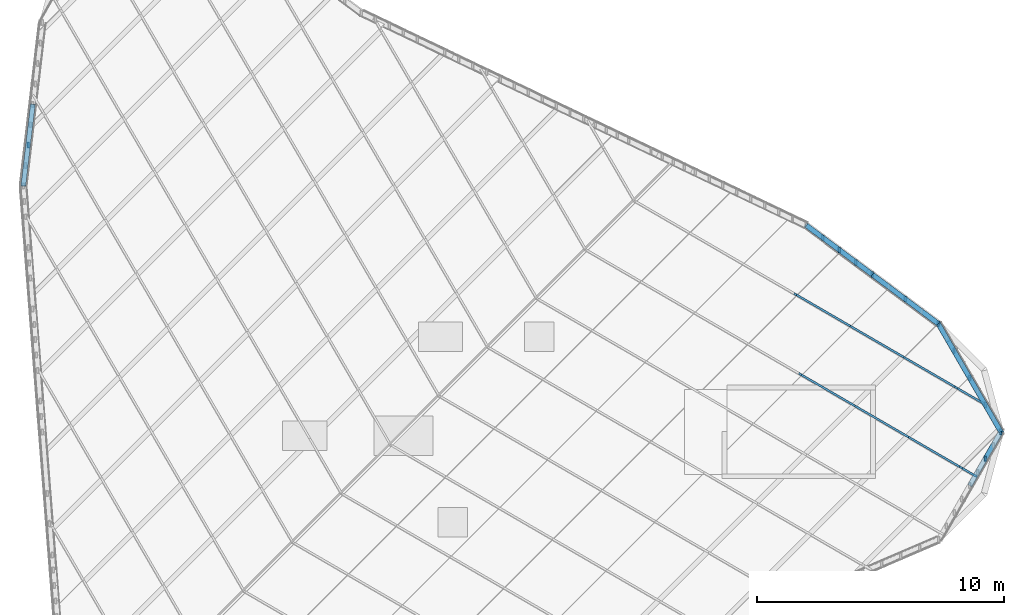
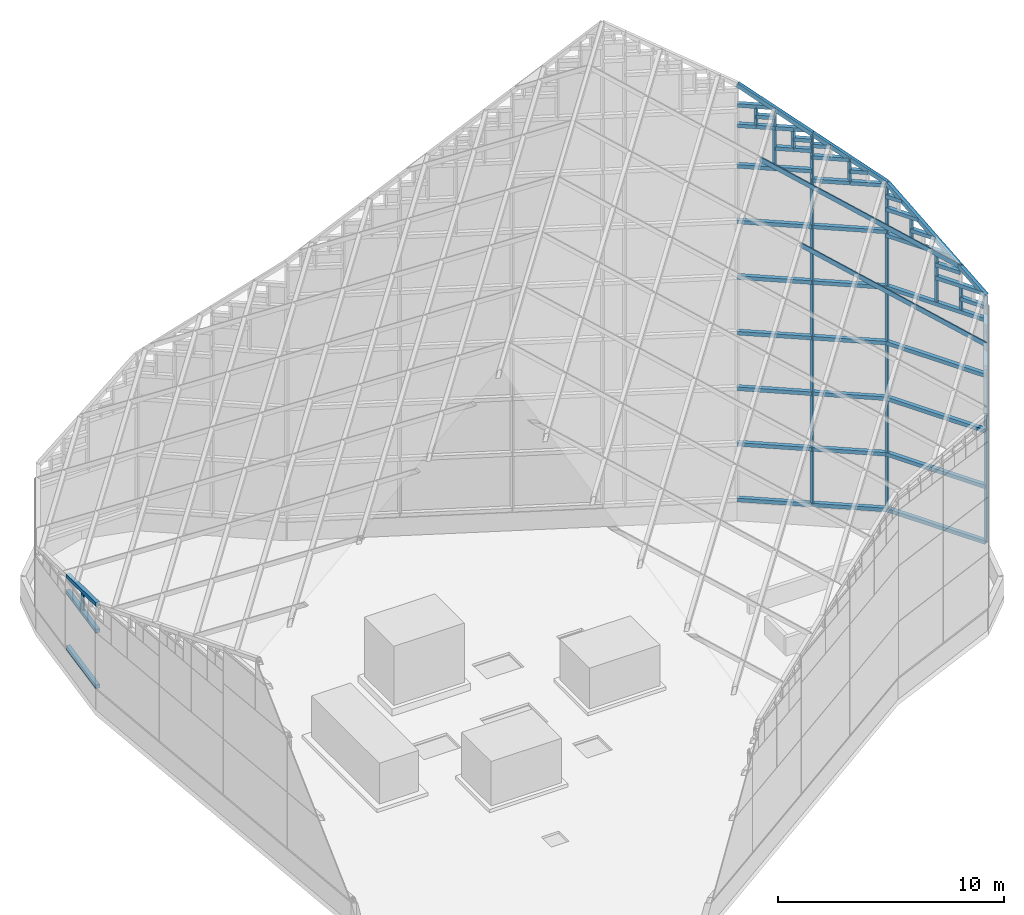
# One storey, part 7 of 29: 63 members, 1 element without a shape of its own.
"""IFC4 building model written with IfcOpenShell, lengths in metres."""

from ifc_helpers import new_model, si_unit, direction, frame, origin, origin_2d, place, context, subcontext, project, spatial, rectangle, extrude, material, material_profile, profile_set, type_object, element, aggregate, save


model = new_model("IFC4")

# Units and contexts
model_context = context("Model", 3, precision=1e-05, world=origin(), true_north=direction((0.0, 1.0)))
body_context = subcontext(model_context, "Body", "Model", "MODEL_VIEW")
ifc_project = project(units=[si_unit("LENGTHUNIT", "METRE"), si_unit("AREAUNIT", "SQUARE_METRE"), si_unit("VOLUMEUNIT", "CUBIC_METRE"), si_unit("PLANEANGLEUNIT", "RADIAN"), si_unit("MASSUNIT", "GRAM", prefix="KILO")], contexts=[model_context])

# Site, building, storey
site_placement = place(None, origin())
site = spatial("IfcSite", under=ifc_project, at=site_placement, CompositionType="ELEMENT")
building_placement = place(site_placement, origin())
building = spatial("IfcBuilding", under=site, at=building_placement, Name="Tanit Gate Tower", CompositionType="ELEMENT")
storey_placement = place(building_placement, frame((0.0, 0.0, 445.300048828125)))
storey = spatial("IfcBuildingStorey", under=building, at=storey_placement, Name="ROOF", CompositionType="ELEMENT", Elevation=445.300048828125)

# Curtain wall, members
ifc_material_1 = material(Name="Aluminium bronze anodised and glass", Category="aluminium")
curtain_wall_type = type_object("IfcCurtainWallType", Name="Curtain wall crown roof", PredefinedType="NOTDEFINED", material=ifc_material_1)
curtain_wall_placement = place(storey_placement, origin())
curtain_wall = element("IfcCurtainWall", 1, at=curtain_wall_placement, inside=storey, type_object=curtain_wall_type, Name="Crown lantern", PredefinedType="NOTDEFINED")
ifc_material_2 = material(Name="Aluminium bronze anodised", Category="aluminium")
ifc_material_profile_1 = material_profile(ifc_material_2, rectangle(XDim=0.080078125, YDim=0.219970703125, at=origin_2d()), Name="80x220 bronze rafter")
ifc_profile_set_1 = profile_set([ifc_material_profile_1], Name="Aluminium bronze anodised")
member_type_1 = type_object("IfcMemberType", Name="Mullion 80x220 crown roof", PredefinedType="MULLION", material=ifc_profile_set_1)
member_1_placement = place(storey_placement, frame((21.654052734375, 4.375, 1.199951171875), z_axis=(0.0, 0.0, 1.0), x_axis=(1.0, 0.0, 0.0)))
member_1 = element("IfcMember", 2, at=member_1_placement, type_object=member_type_1, Name="Lantern mullion 1", PredefinedType="MULLION", context=body_context, shape_type="SweptSolid", body=[
    extrude(rectangle(XDim=0.080078125, YDim=0.219970703125, at=origin_2d()), origin(), (0.0, 0.0, 1.0), 17.610595703125),
])
member_2_placement = place(storey_placement, frame((18.983154296875, 6.3642578125, 1.199951171875), z_axis=(0.0, 0.0, 1.0), x_axis=(1.0, 0.0, 0.0)))
member_2 = element("IfcMember", 3, at=member_2_placement, type_object=member_type_1, Name="Lantern mullion 2", PredefinedType="MULLION", context=body_context, shape_type="SweptSolid", body=[
    extrude(rectangle(XDim=0.080078125, YDim=0.219970703125, at=origin_2d()), origin(), (0.0, 0.0, 1.0), 19.996337890625),
])
member_3_placement = place(storey_placement, frame((24.186767578125, 0.0, 1.199951171875), z_axis=(0.0, 0.0, 1.0), x_axis=(1.0, 0.0, 0.0)))
member_3 = element("IfcMember", 4, at=member_3_placement, type_object=member_type_1, Name="Lantern mullion 32", PredefinedType="MULLION", context=body_context, shape_type="SweptSolid", body=[
    extrude(rectangle(XDim=0.080078125, YDim=0.219970703125, at=origin_2d()), origin(), (0.0, 0.0, 1.0), 13.2841796875),
])
member_4_placement = place(storey_placement, frame((20.318603515625, 5.36962890625, 18.697998046875), z_axis=(0.0, 0.0, 1.0), x_axis=(1.0, 0.0, 0.0)))
member_4 = element("IfcMember", 5, at=member_4_placement, type_object=member_type_1, Name="Lantern clerestory bar 1.6.2", PredefinedType="MULLION", context=body_context, shape_type="SweptSolid", body=[
    extrude(rectangle(XDim=0.080078125, YDim=0.219970703125, at=origin_2d()), origin(), (0.0, 0.0, 1.0), 1.305419921875),
])
member_5_placement = place(storey_placement, frame((17.64794921875, 7.358642578125, 19.199951171875), z_axis=(0.0, 0.0, 1.0), x_axis=(1.0, 0.0, 0.0)))
member_5 = element("IfcMember", 6, at=member_5_placement, type_object=member_type_1, Name="Lantern clerestory bar 2.7.2", PredefinedType="MULLION", context=body_context, shape_type="SweptSolid", body=[
    extrude(rectangle(XDim=0.080078125, YDim=0.219970703125, at=origin_2d()), origin(), (0.0, 0.0, 1.0), 2.19091796875),
])
member_6_placement = place(storey_placement, frame((18.315673828125, 6.861328125, 20.29541015625), z_axis=(0.0, 0.0, 1.0), x_axis=(1.0, 0.0, 0.0)))
member_6 = element("IfcMember", 7, at=member_6_placement, type_object=member_type_1, Name="Lantern clerestory bar 2.7.4", PredefinedType="MULLION", context=body_context, shape_type="SweptSolid", body=[
    extrude(rectangle(XDim=0.080078125, YDim=0.219970703125, at=origin_2d()), origin(), (0.0, 0.0, 1.0), 1.095458984375),
])
member_7_placement = place(storey_placement, frame((17.64794921875, 7.358642578125, 21.390869140625), z_axis=(0.0, 0.0, 1.0), x_axis=(1.0, 0.0, 0.0)))
member_7 = element("IfcMember", 8, at=member_7_placement, type_object=member_type_1, Name="Lantern clerestory bar 2.7.6", PredefinedType="MULLION", context=body_context, shape_type="SweptSolid", body=[
    extrude(rectangle(XDim=0.080078125, YDim=0.219970703125, at=origin_2d()), origin(), (0.0, 0.0, 1.0), 0.998046875),
])
member_8_placement = place(storey_placement, frame((16.980224609375, 7.85595703125, 21.390869140625), z_axis=(0.0, 0.0, 1.0), x_axis=(1.0, 0.0, 0.0)))
member_8 = element("IfcMember", 9, at=member_8_placement, type_object=member_type_1, Name="Lantern clerestory bar 2.7.8", PredefinedType="MULLION", context=body_context, shape_type="SweptSolid", body=[
    extrude(rectangle(XDim=0.080078125, YDim=0.219970703125, at=origin_2d()), origin(), (0.0, 0.0, 1.0), 1.095458984375),
])
member_9_placement = place(storey_placement, frame((-15.19677734375, 11.604248046875, 4.199951171875), z_axis=(0.0, 0.0, 1.0), x_axis=(1.0, 0.0, 0.0)))
member_9 = element("IfcMember", 10, at=member_9_placement, type_object=member_type_1, Name="Lantern clerestory bar 13.2.1", PredefinedType="MULLION", context=body_context, shape_type="SweptSolid", body=[
    extrude(rectangle(XDim=0.080078125, YDim=0.219970703125, at=origin_2d()), origin(), (0.0, 0.0, 1.0), 1.147216796875),
])
member_10_placement = place(storey_placement, frame((23.55615234375, -1.09130859375, 12.342041015625), z_axis=(0.0, 0.0, 1.0), x_axis=(1.0, 0.0, 0.0)))
member_10 = element("IfcMember", 11, at=member_10_placement, type_object=member_type_1, Name="Lantern clerestory bar 31.4.11", PredefinedType="MULLION", context=body_context, shape_type="SweptSolid", body=[
    extrude(rectangle(XDim=0.080078125, YDim=0.219970703125, at=origin_2d()), origin(), (0.0, 0.0, 1.0), 1.410888671875),
])
member_11_placement = place(storey_placement, frame((22.92041015625, 2.1875, 13.199951171875), z_axis=(0.0, 0.0, 1.0), x_axis=(1.0, 0.0, 0.0)))
member_11 = element("IfcMember", 12, at=member_11_placement, type_object=member_type_1, Name="Lantern clerestory bar 32.5.2", PredefinedType="MULLION", context=body_context, shape_type="SweptSolid", body=[
    extrude(rectangle(XDim=0.080078125, YDim=0.219970703125, at=origin_2d()), origin(), (0.0, 0.0, 1.0), 2.805419921875),
])
member_12_placement = place(storey_placement, frame((23.5537109375, 1.09375, 13.199951171875), z_axis=(0.0, 0.0, 1.0), x_axis=(1.0, 0.0, 0.0)))
member_12 = element("IfcMember", 13, at=member_12_placement, type_object=member_type_1, Name="Lantern clerestory bar 32.5.4", PredefinedType="MULLION", context=body_context, shape_type="SweptSolid", body=[
    extrude(rectangle(XDim=0.080078125, YDim=0.219970703125, at=origin_2d()), origin(), (0.0, 0.0, 1.0), 1.402587890625),
])
member_13_placement = place(storey_placement, frame((22.287109375, 3.28125, 16.00537109375), z_axis=(0.0, 0.0, 1.0), x_axis=(1.0, 0.0, 0.0)))
member_13 = element("IfcMember", 14, at=member_13_placement, type_object=member_type_1, Name="Lantern clerestory bar 32.5.12", PredefinedType="MULLION", context=body_context, shape_type="SweptSolid", body=[
    extrude(rectangle(XDim=0.080078125, YDim=0.219970703125, at=origin_2d()), origin(), (0.0, 0.0, 1.0), 1.402587890625),
])
member_14_placement = place(storey_placement, frame((16.058349609375, 2.335205078125, 18.660400390625), z_axis=(0.723508627725, -0.420141159031, -0.547737776765), x_axis=(0.502170713438, 0.864768509235, 0.0)))
member_14 = element("IfcMember", 15, at=member_14_placement, type_object=member_type_1, Name="Lantern rafter W14", PredefinedType="MULLION", context=body_context, shape_type="SweptSolid", body=[
    extrude(rectangle(XDim=0.080078125, YDim=0.219970703125, at=origin_2d()), origin(), (0.0, 0.0, 1.0), 3.000244140625),
])
member_15_placement = place(storey_placement, frame((18.22900390625, 1.07470703125, 17.01708984375), z_axis=(0.723494582662, -0.420098879156, -0.547788755444), x_axis=(0.502140210865, 0.864786221347, 0.0)))
member_15 = element("IfcMember", 16, at=member_15_placement, type_object=member_type_1, Name="Lantern rafter W14", PredefinedType="MULLION", context=body_context, shape_type="SweptSolid", body=[
    extrude(rectangle(XDim=0.080078125, YDim=0.219970703125, at=origin_2d()), origin(), (0.0, 0.0, 1.0), 3.0),
])
member_16_placement = place(storey_placement, frame((20.3994140625, -0.185546875, 15.373779296875), z_axis=(0.723494582662, -0.420098879156, -0.547788755444), x_axis=(0.502140210865, 0.864786221347, 0.0)))
member_16 = element("IfcMember", 17, at=member_16_placement, type_object=member_type_1, Name="Lantern rafter W14", PredefinedType="MULLION", context=body_context, shape_type="SweptSolid", body=[
    extrude(rectangle(XDim=0.080078125, YDim=0.219970703125, at=origin_2d()), origin(), (0.0, 0.0, 1.0), 3.0),
])
member_17_placement = place(storey_placement, frame((22.56982421875, -1.44580078125, 13.73046875), z_axis=(0.723530579646, -0.420046342357, -0.547781498947), x_axis=(0.502074562773, 0.864824336739, 0.0)))
member_17 = element("IfcMember", 18, at=member_17_placement, type_object=member_type_1, Name="Lantern rafter W14", PredefinedType="MULLION", context=body_context, shape_type="SweptSolid", body=[
    extrude(rectangle(XDim=0.080078125, YDim=0.219970703125, at=origin_2d()), origin(), (0.0, 0.0, 1.0), 0.80859375),
])
member_18_placement = place(storey_placement, frame((15.86328125, 5.57080078125, 21.397705078125), z_axis=(0.723469846055, -0.420165895971, -0.547770026299), x_axis=(0.502212954116, 0.864743978712, 0.0)))
member_18 = element("IfcMember", 19, at=member_18_placement, type_object=member_type_1, Name="Lantern rafter W15", PredefinedType="MULLION", context=body_context, shape_type="SweptSolid", body=[
    extrude(rectangle(XDim=0.080078125, YDim=0.219970703125, at=origin_2d()), origin(), (0.0, 0.0, 1.0), 3.0),
])
member_19_placement = place(storey_placement, frame((18.03369140625, 4.310302734375, 19.75439453125), z_axis=(0.723494582662, -0.420098879156, -0.547788755444), x_axis=(0.502140210865, 0.864786221347, 0.0)))
member_19 = element("IfcMember", 20, at=member_19_placement, type_object=member_type_1, Name="Lantern rafter W15", PredefinedType="MULLION", context=body_context, shape_type="SweptSolid", body=[
    extrude(rectangle(XDim=0.080078125, YDim=0.219970703125, at=origin_2d()), origin(), (0.0, 0.0, 1.0), 3.0),
])
member_20_placement = place(storey_placement, frame((20.2041015625, 3.050048828125, 18.111083984375), z_axis=(0.723533362745, -0.420074144471, -0.547756502602), x_axis=(0.502097972181, 0.864810745962, 0.0)))
member_20 = element("IfcMember", 21, at=member_20_placement, type_object=member_type_1, Name="Lantern rafter W15", PredefinedType="MULLION", context=body_context, shape_type="SweptSolid", body=[
    extrude(rectangle(XDim=0.080078125, YDim=0.219970703125, at=origin_2d()), origin(), (0.0, 0.0, 1.0), 3.0),
])
member_21_placement = place(storey_placement, frame((22.374755859375, 1.789794921875, 16.4677734375), z_axis=(0.723468150235, -0.420209884253, -0.547738522264), x_axis=(0.50225314976, 0.864720633243, 0.0)))
member_21 = element("IfcMember", 22, at=member_21_placement, type_object=member_type_1, Name="Lantern rafter W15", PredefinedType="MULLION", context=body_context, shape_type="SweptSolid", body=[
    extrude(rectangle(XDim=0.080078125, YDim=0.219970703125, at=origin_2d()), origin(), (0.0, 0.0, 1.0), 1.61572265625),
])
ifc_material_3 = material(Name="Aluminium bronze anodised", Category="aluminium")
ifc_material_profile_2 = material_profile(ifc_material_3, rectangle(XDim=0.199951171875, YDim=0.199951171875, at=origin_2d()), Name="200x200 bronze transom")
ifc_profile_set_2 = profile_set([ifc_material_profile_2], Name="Aluminium bronze anodised")
member_type_2 = type_object("IfcMemberType", Name="Transom 200x200 crown roof", PredefinedType="USERDEFINED", material=ifc_profile_set_2)
member_22_placement = place(storey_placement, frame((21.654052734375, 4.375, 1.199951171875), z_axis=(-0.802001266268, 0.5973223325, 0.0), x_axis=(-0.5973223325, -0.802001266268, 0.0)))
member_22 = element("IfcMember", 23, at=member_22_placement, type_object=member_type_2, Name="Lantern eave beam 1", ObjectType="TRANSOM", PredefinedType="USERDEFINED", context=body_context, shape_type="SweptSolid", body=[
    extrude(rectangle(XDim=0.199951171875, YDim=0.199951171875, at=origin_2d()), origin(), (0.0, 0.0, 1.0), 3.330322265625),
])
member_23_placement = place(storey_placement, frame((21.654052734375, 4.375, 18.810546875), z_axis=(-0.651969998305, 0.48558058009, 0.582362963751), x_axis=(-0.5973223325, -0.802001266268, 0.0)))
member_23 = element("IfcMember", 24, at=member_23_placement, type_object=member_type_2, Name="Lantern edge beam 1", ObjectType="TRANSOM", PredefinedType="USERDEFINED", context=body_context, shape_type="SweptSolid", body=[
    extrude(rectangle(XDim=0.199951171875, YDim=0.199951171875, at=origin_2d()), origin(), (0.0, 0.0, 1.0), 4.0966796875),
])
member_24_placement = place(storey_placement, frame((18.983154296875, 6.3642578125, 1.199951171875), z_axis=(-0.802010229814, 0.597310297312, 0.0), x_axis=(-0.597310297312, -0.802010229814, 0.0)))
member_24 = element("IfcMember", 25, at=member_24_placement, type_object=member_type_2, Name="Lantern eave beam 2", ObjectType="TRANSOM", PredefinedType="USERDEFINED", context=body_context, shape_type="SweptSolid", body=[
    extrude(rectangle(XDim=0.199951171875, YDim=0.199951171875, at=origin_2d()), origin(), (0.0, 0.0, 1.0), 3.329833984375),
])
member_25_placement = place(storey_placement, frame((18.983154296875, 6.3642578125, 21.1962890625), z_axis=(-0.651977229788, 0.485570755195, 0.582363059901), x_axis=(-0.597310297312, -0.802010229814, 0.0)))
member_25 = element("IfcMember", 26, at=member_25_placement, type_object=member_type_2, Name="Lantern edge beam 2", ObjectType="TRANSOM", PredefinedType="USERDEFINED", context=body_context, shape_type="SweptSolid", body=[
    extrude(rectangle(XDim=0.199951171875, YDim=0.199951171875, at=origin_2d()), origin(), (0.0, 0.0, 1.0), 4.09619140625),
])
member_26_placement = place(storey_placement, frame((-15.003173828125, 13.2578125, 1.199951171875), z_axis=(-0.116279720788, -0.993216505367, 0.0), x_axis=(0.993216505367, -0.116279720788, 0.0)))
member_26 = element("IfcMember", 27, at=member_26_placement, type_object=member_type_2, Name="Lantern eave beam 13", ObjectType="TRANSOM", PredefinedType="USERDEFINED", context=body_context, shape_type="SweptSolid", body=[
    extrude(rectangle(XDim=0.199951171875, YDim=0.199951171875, at=origin_2d()), origin(), (0.0, 0.0, 1.0), 3.330078125),
])
member_27_placement = place(storey_placement, frame((-15.003173828125, 13.2578125, 5.05224609375), z_axis=(-0.114497367594, -0.977992332156, 0.174417175352), x_axis=(0.993216505367, -0.116279720788, 0.0)))
member_27 = element("IfcMember", 28, at=member_27_placement, type_object=member_type_2, Name="Lantern edge beam 13", ObjectType="TRANSOM", PredefinedType="USERDEFINED", context=body_context, shape_type="SweptSolid", body=[
    extrude(rectangle(XDim=0.199951171875, YDim=0.199951171875, at=origin_2d()), origin(), (0.0, 0.0, 1.0), 3.3818359375),
])
member_28_placement = place(storey_placement, frame((24.186767578125, 0.0, 1.199951171875), z_axis=(-0.501009618021, 0.86544171534, 0.0), x_axis=(-0.86544171534, -0.501009618021, 0.0)))
member_28 = element("IfcMember", 29, at=member_28_placement, type_object=member_type_2, Name="Lantern eave beam 32", ObjectType="TRANSOM", PredefinedType="USERDEFINED", context=body_context, shape_type="SweptSolid", body=[
    extrude(rectangle(XDim=0.199951171875, YDim=0.199951171875, at=origin_2d()), origin(), (0.0, 0.0, 1.0), 5.05517578125),
])
member_29_placement = place(storey_placement, frame((24.186767578125, 0.0, 14.484130859375), z_axis=(-0.380641475978, 0.657518339071, 0.650216656623), x_axis=(-0.86544171534, -0.501009618021, 0.0)))
member_29 = element("IfcMember", 30, at=member_29_placement, type_object=member_type_2, Name="Lantern edge beam 32", ObjectType="TRANSOM", PredefinedType="USERDEFINED", context=body_context, shape_type="SweptSolid", body=[
    extrude(rectangle(XDim=0.199951171875, YDim=0.199951171875, at=origin_2d()), origin(), (0.0, 0.0, 1.0), 6.65380859375),
])
member_30_placement = place(storey_placement, frame((21.654052734375, 4.375, 4.199951171875), z_axis=(-0.802001266268, 0.5973223325, 0.0), x_axis=(-0.5973223325, -0.802001266268, 0.0)))
member_30 = element("IfcMember", 31, at=member_30_placement, type_object=member_type_2, Name="Lantern clerestory transom 1.1", ObjectType="TRANSOM", PredefinedType="USERDEFINED", context=body_context, shape_type="SweptSolid", body=[
    extrude(rectangle(XDim=0.199951171875, YDim=0.199951171875, at=origin_2d()), origin(), (0.0, 0.0, 1.0), 3.330322265625),
])
member_31_placement = place(storey_placement, frame((21.654052734375, 4.375, 7.199951171875), z_axis=(-0.802001266268, 0.5973223325, 0.0), x_axis=(-0.5973223325, -0.802001266268, 0.0)))
member_31 = element("IfcMember", 32, at=member_31_placement, type_object=member_type_2, Name="Lantern clerestory transom 1.2", ObjectType="TRANSOM", PredefinedType="USERDEFINED", context=body_context, shape_type="SweptSolid", body=[
    extrude(rectangle(XDim=0.199951171875, YDim=0.199951171875, at=origin_2d()), origin(), (0.0, 0.0, 1.0), 3.330322265625),
])
member_32_placement = place(storey_placement, frame((21.654052734375, 4.375, 10.199951171875), z_axis=(-0.802001266268, 0.5973223325, 0.0), x_axis=(-0.5973223325, -0.802001266268, 0.0)))
member_32 = element("IfcMember", 33, at=member_32_placement, type_object=member_type_2, Name="Lantern clerestory transom 1.3", ObjectType="TRANSOM", PredefinedType="USERDEFINED", context=body_context, shape_type="SweptSolid", body=[
    extrude(rectangle(XDim=0.199951171875, YDim=0.199951171875, at=origin_2d()), origin(), (0.0, 0.0, 1.0), 3.330322265625),
])
member_33_placement = place(storey_placement, frame((21.654052734375, 4.375, 13.199951171875), z_axis=(-0.802001266268, 0.5973223325, 0.0), x_axis=(-0.5973223325, -0.802001266268, 0.0)))
member_33 = element("IfcMember", 34, at=member_33_placement, type_object=member_type_2, Name="Lantern clerestory transom 1.4", ObjectType="TRANSOM", PredefinedType="USERDEFINED", context=body_context, shape_type="SweptSolid", body=[
    extrude(rectangle(XDim=0.199951171875, YDim=0.199951171875, at=origin_2d()), origin(), (0.0, 0.0, 1.0), 3.330322265625),
])
member_34_placement = place(storey_placement, frame((21.654052734375, 4.375, 16.199951171875), z_axis=(-0.802001266268, 0.5973223325, 0.0), x_axis=(-0.5973223325, -0.802001266268, 0.0)))
member_34 = element("IfcMember", 35, at=member_34_placement, type_object=member_type_2, Name="Lantern clerestory transom 1.5", ObjectType="TRANSOM", PredefinedType="USERDEFINED", context=body_context, shape_type="SweptSolid", body=[
    extrude(rectangle(XDim=0.199951171875, YDim=0.199951171875, at=origin_2d()), origin(), (0.0, 0.0, 1.0), 3.330322265625),
])
member_35_placement = place(storey_placement, frame((21.654052734375, 4.375, 18.697998046875), z_axis=(-0.802001266268, 0.5973223325, 0.0), x_axis=(-0.5973223325, -0.802001266268, 0.0)))
member_35 = element("IfcMember", 36, at=member_35_placement, type_object=member_type_2, Name="Lantern clerestory bar 1.6.1", ObjectType="TRANSOM", PredefinedType="USERDEFINED", context=body_context, shape_type="SweptSolid", body=[
    extrude(rectangle(XDim=0.199951171875, YDim=0.199951171875, at=origin_2d()), origin(), (0.0, 0.0, 1.0), 3.330322265625),
])
member_36_placement = place(storey_placement, frame((20.986328125, 4.872314453125, 19.322509765625), z_axis=(-0.802001266268, 0.5973223325, 0.0), x_axis=(-0.5973223325, -0.802001266268, 0.0)))
member_36 = element("IfcMember", 37, at=member_36_placement, type_object=member_type_2, Name="Lantern clerestory bar 1.6.5", ObjectType="TRANSOM", PredefinedType="USERDEFINED", context=body_context, shape_type="SweptSolid", body=[
    extrude(rectangle(XDim=0.199951171875, YDim=0.199951171875, at=origin_2d()), origin(), (0.0, 0.0, 1.0), 0.83251953125),
])
member_37_placement = place(storey_placement, frame((20.318603515625, 5.36962890625, 19.947021484375), z_axis=(-0.802001266268, 0.5973223325, 0.0), x_axis=(-0.5973223325, -0.802001266268, 0.0)))
member_37 = element("IfcMember", 38, at=member_37_placement, type_object=member_type_2, Name="Lantern clerestory bar 1.6.6", ObjectType="TRANSOM", PredefinedType="USERDEFINED", context=body_context, shape_type="SweptSolid", body=[
    extrude(rectangle(XDim=0.199951171875, YDim=0.199951171875, at=origin_2d()), origin(), (0.0, 0.0, 1.0), 1.6650390625),
])
member_38_placement = place(storey_placement, frame((19.65087890625, 5.866943359375, 20.571533203125), z_axis=(-0.802001266268, 0.5973223325, 0.0), x_axis=(-0.5973223325, -0.802001266268, 0.0)))
member_38 = element("IfcMember", 39, at=member_38_placement, type_object=member_type_2, Name="Lantern clerestory bar 1.6.8", ObjectType="TRANSOM", PredefinedType="USERDEFINED", context=body_context, shape_type="SweptSolid", body=[
    extrude(rectangle(XDim=0.199951171875, YDim=0.199951171875, at=origin_2d()), origin(), (0.0, 0.0, 1.0), 0.83251953125),
])
member_39_placement = place(storey_placement, frame((18.983154296875, 6.3642578125, 4.199951171875), z_axis=(-0.802010229814, 0.597310297312, 0.0), x_axis=(-0.597310297312, -0.802010229814, 0.0)))
member_39 = element("IfcMember", 40, at=member_39_placement, type_object=member_type_2, Name="Lantern clerestory transom 2.1", ObjectType="TRANSOM", PredefinedType="USERDEFINED", context=body_context, shape_type="SweptSolid", body=[
    extrude(rectangle(XDim=0.199951171875, YDim=0.199951171875, at=origin_2d()), origin(), (0.0, 0.0, 1.0), 3.329833984375),
])
member_40_placement = place(storey_placement, frame((18.983154296875, 6.3642578125, 7.199951171875), z_axis=(-0.802010229814, 0.597310297312, 0.0), x_axis=(-0.597310297312, -0.802010229814, 0.0)))
member_40 = element("IfcMember", 41, at=member_40_placement, type_object=member_type_2, Name="Lantern clerestory transom 2.2", ObjectType="TRANSOM", PredefinedType="USERDEFINED", context=body_context, shape_type="SweptSolid", body=[
    extrude(rectangle(XDim=0.199951171875, YDim=0.199951171875, at=origin_2d()), origin(), (0.0, 0.0, 1.0), 3.329833984375),
])
member_41_placement = place(storey_placement, frame((18.983154296875, 6.3642578125, 10.199951171875), z_axis=(-0.802010229814, 0.597310297312, 0.0), x_axis=(-0.597310297312, -0.802010229814, 0.0)))
member_41 = element("IfcMember", 42, at=member_41_placement, type_object=member_type_2, Name="Lantern clerestory transom 2.3", ObjectType="TRANSOM", PredefinedType="USERDEFINED", context=body_context, shape_type="SweptSolid", body=[
    extrude(rectangle(XDim=0.199951171875, YDim=0.199951171875, at=origin_2d()), origin(), (0.0, 0.0, 1.0), 3.329833984375),
])
member_42_placement = place(storey_placement, frame((18.983154296875, 6.3642578125, 13.199951171875), z_axis=(-0.802010229814, 0.597310297312, 0.0), x_axis=(-0.597310297312, -0.802010229814, 0.0)))
member_42 = element("IfcMember", 43, at=member_42_placement, type_object=member_type_2, Name="Lantern clerestory transom 2.4", ObjectType="TRANSOM", PredefinedType="USERDEFINED", context=body_context, shape_type="SweptSolid", body=[
    extrude(rectangle(XDim=0.199951171875, YDim=0.199951171875, at=origin_2d()), origin(), (0.0, 0.0, 1.0), 3.329833984375),
])
member_43_placement = place(storey_placement, frame((18.983154296875, 6.3642578125, 16.199951171875), z_axis=(-0.802010229814, 0.597310297312, 0.0), x_axis=(-0.597310297312, -0.802010229814, 0.0)))
member_43 = element("IfcMember", 44, at=member_43_placement, type_object=member_type_2, Name="Lantern clerestory transom 2.5", ObjectType="TRANSOM", PredefinedType="USERDEFINED", context=body_context, shape_type="SweptSolid", body=[
    extrude(rectangle(XDim=0.199951171875, YDim=0.199951171875, at=origin_2d()), origin(), (0.0, 0.0, 1.0), 3.329833984375),
])
member_44_placement = place(storey_placement, frame((18.983154296875, 6.3642578125, 19.199951171875), z_axis=(-0.802010229814, 0.597310297312, 0.0), x_axis=(-0.597310297312, -0.802010229814, 0.0)))
member_44 = element("IfcMember", 45, at=member_44_placement, type_object=member_type_2, Name="Lantern clerestory transom 2.6", ObjectType="TRANSOM", PredefinedType="USERDEFINED", context=body_context, shape_type="SweptSolid", body=[
    extrude(rectangle(XDim=0.199951171875, YDim=0.199951171875, at=origin_2d()), origin(), (0.0, 0.0, 1.0), 3.329833984375),
])
member_45_placement = place(storey_placement, frame((18.765380859375, 6.526611328125, 21.390869140625), z_axis=(-0.802035787641, 0.597275979211, 0.0), x_axis=(-0.597275979211, -0.802035787641, 0.0)))
member_45 = element("IfcMember", 46, at=member_45_placement, type_object=member_type_2, Name="Lantern clerestory bar 2.7.1", ObjectType="TRANSOM", PredefinedType="USERDEFINED", context=body_context, shape_type="SweptSolid", body=[
    extrude(rectangle(XDim=0.199951171875, YDim=0.199951171875, at=origin_2d()), origin(), (0.0, 0.0, 1.0), 3.058349609375),
])
member_46_placement = place(storey_placement, frame((18.983154296875, 6.3642578125, 20.29541015625), z_axis=(-0.802019195017, 0.597298259518, 0.0), x_axis=(-0.597298259518, -0.802019195017, 0.0)))
member_46 = element("IfcMember", 47, at=member_46_placement, type_object=member_type_2, Name="Lantern clerestory bar 2.7.3", ObjectType="TRANSOM", PredefinedType="USERDEFINED", context=body_context, shape_type="SweptSolid", body=[
    extrude(rectangle(XDim=0.199951171875, YDim=0.199951171875, at=origin_2d()), origin(), (0.0, 0.0, 1.0), 1.664794921875),
])
member_47_placement = place(storey_placement, frame((18.983154296875, 6.3642578125, 20.84326171875), z_axis=(-0.802037130403, 0.597274176116, 0.0), x_axis=(-0.597274176116, -0.802037130403, 0.0)))
member_47 = element("IfcMember", 48, at=member_47_placement, type_object=member_type_2, Name="Lantern clerestory bar 2.7.5", ObjectType="TRANSOM", PredefinedType="USERDEFINED", context=body_context, shape_type="SweptSolid", body=[
    extrude(rectangle(XDim=0.199951171875, YDim=0.199951171875, at=origin_2d()), origin(), (0.0, 0.0, 1.0), 0.832275390625),
])
member_48_placement = place(storey_placement, frame((17.5390625, 7.43994140625, 22.486328125), z_axis=(-0.802064262773, 0.597237740253, 0.0), x_axis=(-0.597237740253, -0.802064262773, 0.0)))
member_48 = element("IfcMember", 49, at=member_48_placement, type_object=member_type_2, Name="Lantern clerestory bar 2.7.7", ObjectType="TRANSOM", PredefinedType="USERDEFINED", context=body_context, shape_type="SweptSolid", body=[
    extrude(rectangle(XDim=0.199951171875, YDim=0.199951171875, at=origin_2d()), origin(), (0.0, 0.0, 1.0), 1.529296875),
])
member_49_placement = place(storey_placement, frame((17.64794921875, 7.358642578125, 21.938720703125), z_axis=(-0.802001266268, 0.5973223325, 0.0), x_axis=(-0.5973223325, -0.802001266268, 0.0)))
member_49 = element("IfcMember", 50, at=member_49_placement, type_object=member_type_2, Name="Lantern clerestory bar 2.7.9", ObjectType="TRANSOM", PredefinedType="USERDEFINED", context=body_context, shape_type="SweptSolid", body=[
    extrude(rectangle(XDim=0.199951171875, YDim=0.199951171875, at=origin_2d()), origin(), (0.0, 0.0, 1.0), 0.83251953125),
])
member_50_placement = place(storey_placement, frame((-15.003173828125, 13.2578125, 4.199951171875), z_axis=(-0.116279720788, -0.993216505367, 0.0), x_axis=(0.993216505367, -0.116279720788, 0.0)))
member_50 = element("IfcMember", 51, at=member_50_placement, type_object=member_type_2, Name="Lantern clerestory transom 13.1", ObjectType="TRANSOM", PredefinedType="USERDEFINED", context=body_context, shape_type="SweptSolid", body=[
    extrude(rectangle(XDim=0.199951171875, YDim=0.199951171875, at=origin_2d()), origin(), (0.0, 0.0, 1.0), 3.330078125),
])
member_51_placement = place(storey_placement, frame((22.925537109375, -2.182373046875, 12.342041015625), z_axis=(0.500367962397, 0.865812856342, 0.0), x_axis=(-0.865812856342, 0.500367962397, 0.0)))
member_51 = element("IfcMember", 52, at=member_51_placement, type_object=member_type_2, Name="Lantern clerestory bar 31.4.10", ObjectType="TRANSOM", PredefinedType="USERDEFINED", context=body_context, shape_type="SweptSolid", body=[
    extrude(rectangle(XDim=0.199951171875, YDim=0.199951171875, at=origin_2d()), origin(), (0.0, 0.0, 1.0), 2.5205078125),
])
member_52_placement = place(storey_placement, frame((23.55615234375, -1.09130859375, 13.4130859375), z_axis=(0.500326004058, 0.865837103423, 0.0), x_axis=(-0.865837103423, 0.500326004058, 0.0)))
member_52 = element("IfcMember", 53, at=member_52_placement, type_object=member_type_2, Name="Lantern clerestory bar 31.4.16", ObjectType="TRANSOM", PredefinedType="USERDEFINED", context=body_context, shape_type="SweptSolid", body=[
    extrude(rectangle(XDim=0.199951171875, YDim=0.199951171875, at=origin_2d()), origin(), (0.0, 0.0, 1.0), 1.260498046875),
])
member_53_placement = place(storey_placement, frame((24.186767578125, 0.0, 4.199951171875), z_axis=(-0.501009618021, 0.86544171534, 0.0), x_axis=(-0.86544171534, -0.501009618021, 0.0)))
member_53 = element("IfcMember", 54, at=member_53_placement, type_object=member_type_2, Name="Lantern clerestory transom 32.1", ObjectType="TRANSOM", PredefinedType="USERDEFINED", context=body_context, shape_type="SweptSolid", body=[
    extrude(rectangle(XDim=0.199951171875, YDim=0.199951171875, at=origin_2d()), origin(), (0.0, 0.0, 1.0), 5.05517578125),
])
member_54_placement = place(storey_placement, frame((24.186767578125, 0.0, 7.199951171875), z_axis=(-0.501009618021, 0.86544171534, 0.0), x_axis=(-0.86544171534, -0.501009618021, 0.0)))
member_54 = element("IfcMember", 55, at=member_54_placement, type_object=member_type_2, Name="Lantern clerestory transom 32.2", ObjectType="TRANSOM", PredefinedType="USERDEFINED", context=body_context, shape_type="SweptSolid", body=[
    extrude(rectangle(XDim=0.199951171875, YDim=0.199951171875, at=origin_2d()), origin(), (0.0, 0.0, 1.0), 5.05517578125),
])
member_55_placement = place(storey_placement, frame((24.186767578125, 0.0, 10.199951171875), z_axis=(-0.501009618021, 0.86544171534, 0.0), x_axis=(-0.86544171534, -0.501009618021, 0.0)))
member_55 = element("IfcMember", 56, at=member_55_placement, type_object=member_type_2, Name="Lantern clerestory transom 32.3", ObjectType="TRANSOM", PredefinedType="USERDEFINED", context=body_context, shape_type="SweptSolid", body=[
    extrude(rectangle(XDim=0.199951171875, YDim=0.199951171875, at=origin_2d()), origin(), (0.0, 0.0, 1.0), 5.05517578125),
])
member_56_placement = place(storey_placement, frame((24.186767578125, 0.0, 13.199951171875), z_axis=(-0.501009618021, 0.86544171534, 0.0), x_axis=(-0.86544171534, -0.501009618021, 0.0)))
member_56 = element("IfcMember", 57, at=member_56_placement, type_object=member_type_2, Name="Lantern clerestory transom 32.4", ObjectType="TRANSOM", PredefinedType="USERDEFINED", context=body_context, shape_type="SweptSolid", body=[
    extrude(rectangle(XDim=0.199951171875, YDim=0.199951171875, at=origin_2d()), origin(), (0.0, 0.0, 1.0), 5.05517578125),
])
member_57_placement = place(storey_placement, frame((23.29638671875, 1.5380859375, 16.00537109375), z_axis=(-0.501015719326, 0.865438183227, 0.0), x_axis=(-0.865438183227, -0.501015719326, 0.0)))
member_57 = element("IfcMember", 58, at=member_57_placement, type_object=member_type_2, Name="Lantern clerestory bar 32.5.1", ObjectType="TRANSOM", PredefinedType="USERDEFINED", context=body_context, shape_type="SweptSolid", body=[
    extrude(rectangle(XDim=0.199951171875, YDim=0.199951171875, at=origin_2d()), origin(), (0.0, 0.0, 1.0), 3.278076171875),
])
member_58_placement = place(storey_placement, frame((24.117431640625, 0.119873046875, 14.6025390625), z_axis=(-0.501028214197, 0.86543094963, 0.0), x_axis=(-0.86543094963, -0.501028214197, 0.0)))
member_58 = element("IfcMember", 59, at=member_58_placement, type_object=member_type_2, Name="Lantern clerestory bar 32.5.3", ObjectType="TRANSOM", PredefinedType="USERDEFINED", context=body_context, shape_type="SweptSolid", body=[
    extrude(rectangle(XDim=0.199951171875, YDim=0.199951171875, at=origin_2d()), origin(), (0.0, 0.0, 1.0), 2.38916015625),
])
member_59_placement = place(storey_placement, frame((24.186767578125, 0.0, 13.9013671875), z_axis=(-0.500937268279, 0.86548359502, 0.0), x_axis=(-0.86548359502, -0.500937268279, 0.0)))
member_59 = element("IfcMember", 60, at=member_59_placement, type_object=member_type_2, Name="Lantern clerestory bar 32.5.5", ObjectType="TRANSOM", PredefinedType="USERDEFINED", context=body_context, shape_type="SweptSolid", body=[
    extrude(rectangle(XDim=0.199951171875, YDim=0.199951171875, at=origin_2d()), origin(), (0.0, 0.0, 1.0), 1.263671875),
])
member_60_placement = place(storey_placement, frame((23.5537109375, 1.09375, 15.303955078125), z_axis=(-0.501081957261, 0.865399833665, 0.0), x_axis=(-0.865399833665, -0.501081957261, 0.0)))
member_60 = element("IfcMember", 61, at=member_60_placement, type_object=member_type_2, Name="Lantern clerestory bar 32.5.8", ObjectType="TRANSOM", PredefinedType="USERDEFINED", context=body_context, shape_type="SweptSolid", body=[
    extrude(rectangle(XDim=0.199951171875, YDim=0.199951171875, at=origin_2d()), origin(), (0.0, 0.0, 1.0), 1.263916015625),
])
member_61_placement = place(storey_placement, frame((22.47509765625, 2.95654296875, 17.407958984375), z_axis=(-0.500959933183, 0.865470476299, 0.0), x_axis=(-0.865470476299, -0.500959933183, 0.0)))
member_61 = element("IfcMember", 62, at=member_61_placement, type_object=member_type_2, Name="Lantern clerestory bar 32.5.11", ObjectType="TRANSOM", PredefinedType="USERDEFINED", context=body_context, shape_type="SweptSolid", body=[
    extrude(rectangle(XDim=0.199951171875, YDim=0.199951171875, at=origin_2d()), origin(), (0.0, 0.0, 1.0), 1.638916015625),
])
member_62_placement = place(storey_placement, frame((22.8857421875, 2.247314453125, 16.70654296875), z_axis=(-0.50106043594, 0.865412294537, 0.0), x_axis=(-0.865412294537, -0.50106043594, 0.0)))
member_62 = element("IfcMember", 63, at=member_62_placement, type_object=member_type_2, Name="Lantern clerestory bar 32.5.13", ObjectType="TRANSOM", PredefinedType="USERDEFINED", context=body_context, shape_type="SweptSolid", body=[
    extrude(rectangle(XDim=0.199951171875, YDim=0.199951171875, at=origin_2d()), origin(), (0.0, 0.0, 1.0), 1.19482421875),
])
member_63_placement = place(storey_placement, frame((22.064453125, 3.665771484375, 18.109130859375), z_axis=(-0.500848342162, 0.865535058882, 0.0), x_axis=(-0.865535058882, -0.500848342162, 0.0)))
member_63 = element("IfcMember", 64, at=member_63_placement, type_object=member_type_2, Name="Lantern clerestory bar 32.5.16", ObjectType="TRANSOM", PredefinedType="USERDEFINED", context=body_context, shape_type="SweptSolid", body=[
    extrude(rectangle(XDim=0.199951171875, YDim=0.199951171875, at=origin_2d()), origin(), (0.0, 0.0, 1.0), 0.8193359375),
])
aggregate(curtain_wall, [member_1, member_22, member_23, member_2, member_24, member_25, member_26, member_27, member_3, member_28, member_29, member_30, member_31, member_32, member_33, member_34, member_35, member_4, member_36, member_37, member_38, member_39, member_40, member_41, member_42, member_43, member_44, member_45, member_5, member_46, member_6, member_47, member_7, member_48, member_8, member_49, member_50, member_9, member_51, member_10, member_52, member_53, member_54, member_55, member_56, member_57, member_11, member_58, member_12, member_59, member_60, member_61, member_13, member_62, member_63, member_14, member_15, member_16, member_17, member_18, member_19, member_20, member_21])

save(model, "model.ifc")
